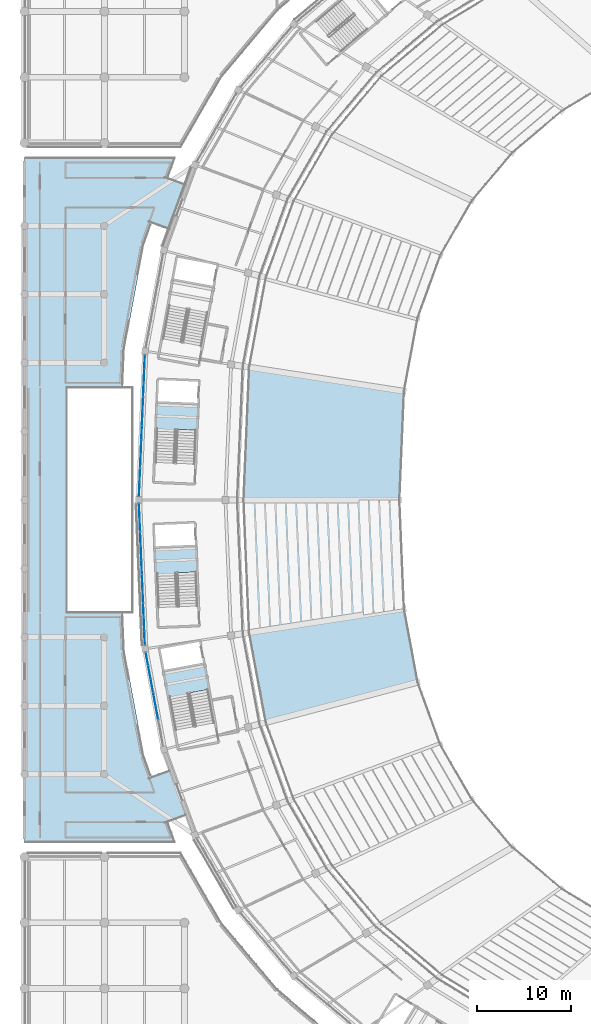
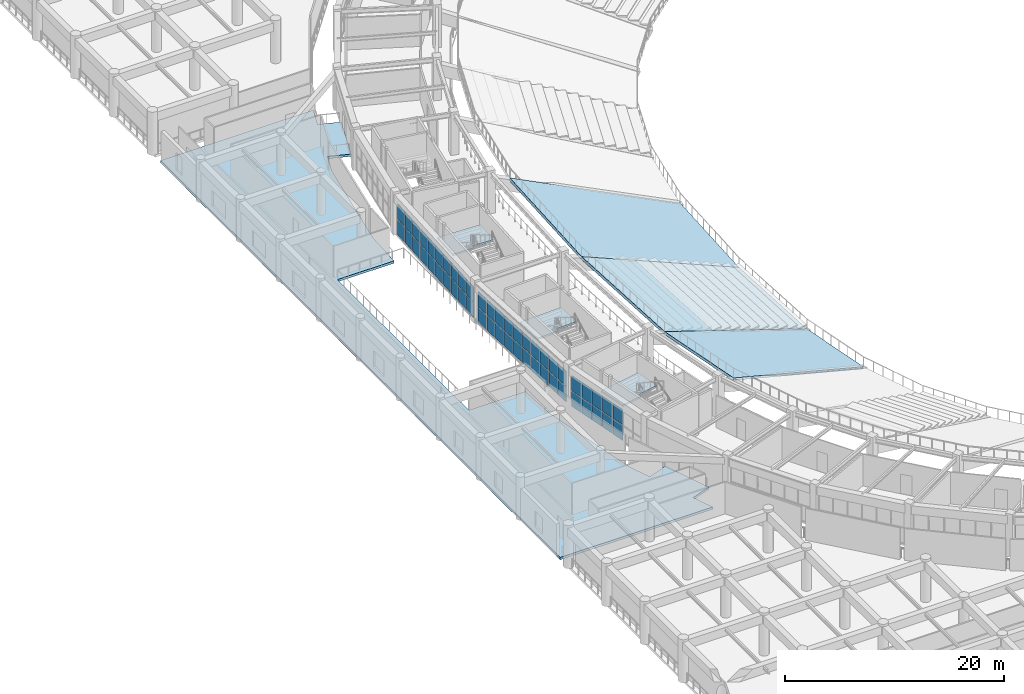
# One storey, part 78 of 137: 50 plates, 7 slabs, 6 elements without a shape of their own.
"""IFC4 building model written with IfcOpenShell, lengths in metres."""

from ifc_helpers import new_model, si_unit, direction, frame, origin, origin_2d, place, context, subcontext, project, spatial, polyline, rectangle, outline, extrude, material, layer, layer_set, type_object, element, aggregate, save


model = new_model("IFC4")

# Units and contexts
model_context = context("Model", 3, precision=1e-05, world=origin(), true_north=direction((0.0, 1.0)))
body_context = subcontext(model_context, "Body", "Model", "MODEL_VIEW")
ifc_project = project(units=[si_unit("LENGTHUNIT", "METRE"), si_unit("AREAUNIT", "SQUARE_METRE"), si_unit("VOLUMEUNIT", "CUBIC_METRE"), si_unit("PLANEANGLEUNIT", "RADIAN"), si_unit("MASSUNIT", "GRAM", prefix="KILO")], contexts=[model_context])

# Site, building, storey
site_placement = place(None, origin())
site = spatial("IfcSite", under=ifc_project, at=site_placement, CompositionType="ELEMENT")
building_placement = place(site_placement, origin())
building = spatial("IfcBuilding", under=site, at=building_placement, Name="Mphavela Belvedere Stadium", CompositionType="ELEMENT")
storey_placement = place(building_placement, frame((0.0, 0.0, 19.199951171875)))
storey = spatial("IfcBuildingStorey", under=building, at=storey_placement, Name="L04", CompositionType="ELEMENT", Elevation=19.199951171875)

# Curtain wall, plates
ifc_material_1 = material(Name="Anodised bronze unitised curtain wall framing")
ifc_layer_1 = layer(ifc_material_1, 0.205078125)
ifc_layer_set_1 = layer_set([ifc_layer_1], Name="Anodised bronze unitised curtain wall framing")
curtain_wall_type_1 = type_object("IfcCurtainWallType", Name="CW-UNIT-06", PredefinedType="USERDEFINED", material=ifc_layer_set_1)
curtain_wall_1_placement = place(storey_placement, origin())
curtain_wall_1 = element("IfcCurtainWall", 1, at=curtain_wall_1_placement, inside=storey, type_object=curtain_wall_type_1, Name="Belvedere colonnade curtain wall L04-24", ObjectType="UNITISED CURTAIN WALL", PredefinedType="USERDEFINED")
ifc_material_2 = material(Name="Solar-control double glazing", Category="glass")
ifc_layer_2 = layer(ifc_material_2, 0.031982421875)
ifc_layer_set_2 = layer_set([ifc_layer_2], Name="Solar-control double glazing")
plate_type = type_object("IfcPlateType", Name="CWP-SOLAR-GLASS", PredefinedType="CURTAIN_PANEL", material=ifc_layer_set_2)
plate_1_placement = place(storey_placement, frame((12.797607421875, 101.7236328125, 0.06005859375), z_axis=(0.0, 0.0, 1.0), x_axis=(-0.041904860066, -0.999121605563, 0.0)))
plate_1 = element("IfcPlate", 2, at=plate_1_placement, type_object=plate_type, Name="CW-06 panel 1.1", PredefinedType="CURTAIN_PANEL", context=body_context, shape_type="SweptSolid", body=[
    extrude(rectangle(XDim=1.418701171875, YDim=0.031982421875, at=origin_2d()), origin(), (0.0, 0.0, 1.0), 1.695068359375),
])
plate_2_placement = place(storey_placement, frame((12.797607421875, 101.7236328125, 1.81494140625), z_axis=(0.0, 0.0, 1.0), x_axis=(-0.041904860066, -0.999121605563, 0.0)))
plate_2 = element("IfcPlate", 3, at=plate_2_placement, type_object=plate_type, Name="CW-06 panel 1.2", PredefinedType="CURTAIN_PANEL", context=body_context, shape_type="SweptSolid", body=[
    extrude(rectangle(XDim=1.418701171875, YDim=0.031982421875, at=origin_2d()), origin(), (0.0, 0.0, 1.0), 1.695068359375),
])
plate_3_placement = place(storey_placement, frame((12.734619140625, 100.224853515625, 0.06005859375), z_axis=(0.0, 0.0, 1.0), x_axis=(-0.041904860066, -0.999121605563, 0.0)))
plate_3 = element("IfcPlate", 4, at=plate_3_placement, type_object=plate_type, Name="CW-06 panel 2.1", PredefinedType="CURTAIN_PANEL", context=body_context, shape_type="SweptSolid", body=[
    extrude(rectangle(XDim=1.451171875, YDim=0.031982421875, at=origin_2d()), origin(), (0.0, 0.0, 1.0), 1.695068359375),
])
plate_4_placement = place(storey_placement, frame((12.734619140625, 100.224853515625, 1.81494140625), z_axis=(0.0, 0.0, 1.0), x_axis=(-0.041904860066, -0.999121605563, 0.0)))
plate_4 = element("IfcPlate", 5, at=plate_4_placement, type_object=plate_type, Name="CW-06 panel 2.2", PredefinedType="CURTAIN_PANEL", context=body_context, shape_type="SweptSolid", body=[
    extrude(rectangle(XDim=1.451171875, YDim=0.031982421875, at=origin_2d()), origin(), (0.0, 0.0, 1.0), 1.695068359375),
])
plate_5_placement = place(storey_placement, frame((12.671142578125, 98.7099609375, 0.06005859375), z_axis=(0.0, 0.0, 1.0), x_axis=(-0.041904860066, -0.999121605563, 0.0)))
plate_5 = element("IfcPlate", 6, at=plate_5_placement, type_object=plate_type, Name="CW-06 panel 3.1", PredefinedType="CURTAIN_PANEL", context=body_context, shape_type="SweptSolid", body=[
    extrude(rectangle(XDim=1.451171875, YDim=0.031982421875, at=origin_2d()), origin(), (0.0, 0.0, 1.0), 1.695068359375),
])
plate_6_placement = place(storey_placement, frame((12.671142578125, 98.7099609375, 1.81494140625), z_axis=(0.0, 0.0, 1.0), x_axis=(-0.041904860066, -0.999121605563, 0.0)))
plate_6 = element("IfcPlate", 7, at=plate_6_placement, type_object=plate_type, Name="CW-06 panel 3.2", PredefinedType="CURTAIN_PANEL", context=body_context, shape_type="SweptSolid", body=[
    extrude(rectangle(XDim=1.451171875, YDim=0.031982421875, at=origin_2d()), origin(), (0.0, 0.0, 1.0), 1.695068359375),
])
plate_7_placement = place(storey_placement, frame((12.607666015625, 97.19482421875, 0.06005859375), z_axis=(0.0, 0.0, 1.0), x_axis=(-0.041904860066, -0.999121605563, 0.0)))
plate_7 = element("IfcPlate", 8, at=plate_7_placement, type_object=plate_type, Name="CW-06 panel 4.1", PredefinedType="CURTAIN_PANEL", context=body_context, shape_type="SweptSolid", body=[
    extrude(rectangle(XDim=1.451171875, YDim=0.031982421875, at=origin_2d()), origin(), (0.0, 0.0, 1.0), 1.695068359375),
])
plate_8_placement = place(storey_placement, frame((12.607666015625, 97.19482421875, 1.81494140625), z_axis=(0.0, 0.0, 1.0), x_axis=(-0.041904860066, -0.999121605563, 0.0)))
plate_8 = element("IfcPlate", 9, at=plate_8_placement, type_object=plate_type, Name="CW-06 panel 4.2", PredefinedType="CURTAIN_PANEL", context=body_context, shape_type="SweptSolid", body=[
    extrude(rectangle(XDim=1.451171875, YDim=0.031982421875, at=origin_2d()), origin(), (0.0, 0.0, 1.0), 1.695068359375),
])
plate_9_placement = place(storey_placement, frame((12.544189453125, 95.679931640625, 0.06005859375), z_axis=(0.0, 0.0, 1.0), x_axis=(-0.041904860066, -0.999121605563, 0.0)))
plate_9 = element("IfcPlate", 10, at=plate_9_placement, type_object=plate_type, Name="CW-06 panel 5.1", PredefinedType="CURTAIN_PANEL", context=body_context, shape_type="SweptSolid", body=[
    extrude(rectangle(XDim=1.451171875, YDim=0.031982421875, at=origin_2d()), origin(), (0.0, 0.0, 1.0), 1.695068359375),
])
plate_10_placement = place(storey_placement, frame((12.544189453125, 95.679931640625, 1.81494140625), z_axis=(0.0, 0.0, 1.0), x_axis=(-0.041904860066, -0.999121605563, 0.0)))
plate_10 = element("IfcPlate", 11, at=plate_10_placement, type_object=plate_type, Name="CW-06 panel 5.2", PredefinedType="CURTAIN_PANEL", context=body_context, shape_type="SweptSolid", body=[
    extrude(rectangle(XDim=1.451171875, YDim=0.031982421875, at=origin_2d()), origin(), (0.0, 0.0, 1.0), 1.695068359375),
])
plate_11_placement = place(storey_placement, frame((12.48046875, 94.1650390625, 0.06005859375), z_axis=(0.0, 0.0, 1.0), x_axis=(-0.041904860066, -0.999121605563, 0.0)))
plate_11 = element("IfcPlate", 12, at=plate_11_placement, type_object=plate_type, Name="CW-06 panel 6.1", PredefinedType="CURTAIN_PANEL", context=body_context, shape_type="SweptSolid", body=[
    extrude(rectangle(XDim=1.451171875, YDim=0.031982421875, at=origin_2d()), origin(), (0.0, 0.0, 1.0), 1.695068359375),
])
plate_12_placement = place(storey_placement, frame((12.48046875, 94.1650390625, 1.81494140625), z_axis=(0.0, 0.0, 1.0), x_axis=(-0.041904860066, -0.999121605563, 0.0)))
plate_12 = element("IfcPlate", 13, at=plate_12_placement, type_object=plate_type, Name="CW-06 panel 6.2", PredefinedType="CURTAIN_PANEL", context=body_context, shape_type="SweptSolid", body=[
    extrude(rectangle(XDim=1.451171875, YDim=0.031982421875, at=origin_2d()), origin(), (0.0, 0.0, 1.0), 1.695068359375),
])
plate_13_placement = place(storey_placement, frame((12.4169921875, 92.650146484375, 0.06005859375), z_axis=(0.0, 0.0, 1.0), x_axis=(-0.041904860066, -0.999121605563, 0.0)))
plate_13 = element("IfcPlate", 14, at=plate_13_placement, type_object=plate_type, Name="CW-06 panel 7.1", PredefinedType="CURTAIN_PANEL", context=body_context, shape_type="SweptSolid", body=[
    extrude(rectangle(XDim=1.451171875, YDim=0.031982421875, at=origin_2d()), origin(), (0.0, 0.0, 1.0), 1.695068359375),
])
plate_14_placement = place(storey_placement, frame((12.4169921875, 92.650146484375, 1.81494140625), z_axis=(0.0, 0.0, 1.0), x_axis=(-0.041904860066, -0.999121605563, 0.0)))
plate_14 = element("IfcPlate", 15, at=plate_14_placement, type_object=plate_type, Name="CW-06 panel 7.2", PredefinedType="CURTAIN_PANEL", context=body_context, shape_type="SweptSolid", body=[
    extrude(rectangle(XDim=1.451171875, YDim=0.031982421875, at=origin_2d()), origin(), (0.0, 0.0, 1.0), 1.695068359375),
])
plate_15_placement = place(storey_placement, frame((12.353515625, 91.135009765625, 0.06005859375), z_axis=(0.0, 0.0, 1.0), x_axis=(-0.041904860066, -0.999121605563, 0.0)))
plate_15 = element("IfcPlate", 16, at=plate_15_placement, type_object=plate_type, Name="CW-06 panel 8.1", PredefinedType="CURTAIN_PANEL", context=body_context, shape_type="SweptSolid", body=[
    extrude(rectangle(XDim=1.451171875, YDim=0.031982421875, at=origin_2d()), origin(), (0.0, 0.0, 1.0), 1.695068359375),
])
plate_16_placement = place(storey_placement, frame((12.353515625, 91.135009765625, 1.81494140625), z_axis=(0.0, 0.0, 1.0), x_axis=(-0.041904860066, -0.999121605563, 0.0)))
plate_16 = element("IfcPlate", 17, at=plate_16_placement, type_object=plate_type, Name="CW-06 panel 8.2", PredefinedType="CURTAIN_PANEL", context=body_context, shape_type="SweptSolid", body=[
    extrude(rectangle(XDim=1.451171875, YDim=0.031982421875, at=origin_2d()), origin(), (0.0, 0.0, 1.0), 1.695068359375),
])
plate_17_placement = place(storey_placement, frame((12.289794921875, 89.6201171875, 0.06005859375), z_axis=(0.0, 0.0, 1.0), x_axis=(-0.041904860066, -0.999121605563, 0.0)))
plate_17 = element("IfcPlate", 18, at=plate_17_placement, type_object=plate_type, Name="CW-06 panel 9.1", PredefinedType="CURTAIN_PANEL", context=body_context, shape_type="SweptSolid", body=[
    extrude(rectangle(XDim=1.451171875, YDim=0.031982421875, at=origin_2d()), origin(), (0.0, 0.0, 1.0), 1.695068359375),
])
plate_18_placement = place(storey_placement, frame((12.289794921875, 89.6201171875, 1.81494140625), z_axis=(0.0, 0.0, 1.0), x_axis=(-0.041904860066, -0.999121605563, 0.0)))
plate_18 = element("IfcPlate", 19, at=plate_18_placement, type_object=plate_type, Name="CW-06 panel 9.2", PredefinedType="CURTAIN_PANEL", context=body_context, shape_type="SweptSolid", body=[
    extrude(rectangle(XDim=1.451171875, YDim=0.031982421875, at=origin_2d()), origin(), (0.0, 0.0, 1.0), 1.695068359375),
])
plate_19_placement = place(storey_placement, frame((12.22705078125, 88.121337890625, 0.06005859375), z_axis=(0.0, 0.0, 1.0), x_axis=(-0.041904860066, -0.999121605563, 0.0)))
plate_19 = element("IfcPlate", 20, at=plate_19_placement, type_object=plate_type, Name="CW-06 panel 10.1", PredefinedType="CURTAIN_PANEL", context=body_context, shape_type="SweptSolid", body=[
    extrude(rectangle(XDim=1.418701171875, YDim=0.031982421875, at=origin_2d()), origin(), (0.0, 0.0, 1.0), 1.695068359375),
])
plate_20_placement = place(storey_placement, frame((12.22705078125, 88.121337890625, 1.81494140625), z_axis=(0.0, 0.0, 1.0), x_axis=(-0.041904860066, -0.999121605563, 0.0)))
plate_20 = element("IfcPlate", 21, at=plate_20_placement, type_object=plate_type, Name="CW-06 panel 10.2", PredefinedType="CURTAIN_PANEL", context=body_context, shape_type="SweptSolid", body=[
    extrude(rectangle(XDim=1.418701171875, YDim=0.031982421875, at=origin_2d()), origin(), (0.0, 0.0, 1.0), 1.695068359375),
])
aggregate(curtain_wall_1, [plate_1, plate_2, plate_3, plate_4, plate_5, plate_6, plate_7, plate_8, plate_9, plate_10, plate_11, plate_12, plate_13, plate_14, plate_15, plate_16, plate_17, plate_18, plate_19, plate_20])

ifc_material_3 = material(Name="Anodised bronze unitised curtain wall framing")
ifc_layer_3 = layer(ifc_material_3, 0.179931640625)
ifc_layer_set_3 = layer_set([ifc_layer_3], Name="Anodised bronze unitised curtain wall framing")
curtain_wall_type_2 = type_object("IfcCurtainWallType", Name="CW-UNIT-01", PredefinedType="USERDEFINED", material=ifc_layer_set_3)
curtain_wall_2_placement = place(storey_placement, origin())
curtain_wall_2 = element("IfcCurtainWall", 22, at=curtain_wall_2_placement, inside=storey, type_object=curtain_wall_type_2, Name="Belvedere colonnade curtain wall L04-25", ObjectType="UNITISED CURTAIN WALL", PredefinedType="USERDEFINED")
plate_21_placement = place(storey_placement, frame((12.22705078125, 85.878662109375, 0.06005859375), z_axis=(0.0, 0.0, 1.0), x_axis=(0.041904860066, -0.999121605563, 0.0)))
plate_21 = element("IfcPlate", 23, at=plate_21_placement, type_object=plate_type, Name="CW-01 panel 1.1", PredefinedType="CURTAIN_PANEL", context=body_context, shape_type="SweptSolid", body=[
    extrude(rectangle(XDim=1.418701171875, YDim=0.031982421875, at=origin_2d()), origin(), (0.0, 0.0, 1.0), 1.695068359375),
])
plate_22_placement = place(storey_placement, frame((12.22705078125, 85.878662109375, 1.81494140625), z_axis=(0.0, 0.0, 1.0), x_axis=(0.041904860066, -0.999121605563, 0.0)))
plate_22 = element("IfcPlate", 24, at=plate_22_placement, type_object=plate_type, Name="CW-01 panel 1.2", PredefinedType="CURTAIN_PANEL", context=body_context, shape_type="SweptSolid", body=[
    extrude(rectangle(XDim=1.418701171875, YDim=0.031982421875, at=origin_2d()), origin(), (0.0, 0.0, 1.0), 1.695068359375),
])
plate_23_placement = place(storey_placement, frame((12.289794921875, 84.3798828125, 0.06005859375), z_axis=(0.0, 0.0, 1.0), x_axis=(0.041904860066, -0.999121605563, 0.0)))
plate_23 = element("IfcPlate", 25, at=plate_23_placement, type_object=plate_type, Name="CW-01 panel 2.1", PredefinedType="CURTAIN_PANEL", context=body_context, shape_type="SweptSolid", body=[
    extrude(rectangle(XDim=1.451171875, YDim=0.031982421875, at=origin_2d()), origin(), (0.0, 0.0, 1.0), 1.695068359375),
])
plate_24_placement = place(storey_placement, frame((12.289794921875, 84.3798828125, 1.81494140625), z_axis=(0.0, 0.0, 1.0), x_axis=(0.041904860066, -0.999121605563, 0.0)))
plate_24 = element("IfcPlate", 26, at=plate_24_placement, type_object=plate_type, Name="CW-01 panel 2.2", PredefinedType="CURTAIN_PANEL", context=body_context, shape_type="SweptSolid", body=[
    extrude(rectangle(XDim=1.451171875, YDim=0.031982421875, at=origin_2d()), origin(), (0.0, 0.0, 1.0), 1.695068359375),
])
plate_25_placement = place(storey_placement, frame((12.353515625, 82.864990234375, 0.06005859375), z_axis=(0.0, 0.0, 1.0), x_axis=(0.041904860066, -0.999121605563, 0.0)))
plate_25 = element("IfcPlate", 27, at=plate_25_placement, type_object=plate_type, Name="CW-01 panel 3.1", PredefinedType="CURTAIN_PANEL", context=body_context, shape_type="SweptSolid", body=[
    extrude(rectangle(XDim=1.451171875, YDim=0.031982421875, at=origin_2d()), origin(), (0.0, 0.0, 1.0), 1.695068359375),
])
plate_26_placement = place(storey_placement, frame((12.353515625, 82.864990234375, 1.81494140625), z_axis=(0.0, 0.0, 1.0), x_axis=(0.041904860066, -0.999121605563, 0.0)))
plate_26 = element("IfcPlate", 28, at=plate_26_placement, type_object=plate_type, Name="CW-01 panel 3.2", PredefinedType="CURTAIN_PANEL", context=body_context, shape_type="SweptSolid", body=[
    extrude(rectangle(XDim=1.451171875, YDim=0.031982421875, at=origin_2d()), origin(), (0.0, 0.0, 1.0), 1.695068359375),
])
plate_27_placement = place(storey_placement, frame((12.4169921875, 81.349853515625, 0.06005859375), z_axis=(0.0, 0.0, 1.0), x_axis=(0.041904860066, -0.999121605563, 0.0)))
plate_27 = element("IfcPlate", 29, at=plate_27_placement, type_object=plate_type, Name="CW-01 panel 4.1", PredefinedType="CURTAIN_PANEL", context=body_context, shape_type="SweptSolid", body=[
    extrude(rectangle(XDim=1.451171875, YDim=0.031982421875, at=origin_2d()), origin(), (0.0, 0.0, 1.0), 1.695068359375),
])
plate_28_placement = place(storey_placement, frame((12.4169921875, 81.349853515625, 1.81494140625), z_axis=(0.0, 0.0, 1.0), x_axis=(0.041904860066, -0.999121605563, 0.0)))
plate_28 = element("IfcPlate", 30, at=plate_28_placement, type_object=plate_type, Name="CW-01 panel 4.2", PredefinedType="CURTAIN_PANEL", context=body_context, shape_type="SweptSolid", body=[
    extrude(rectangle(XDim=1.451171875, YDim=0.031982421875, at=origin_2d()), origin(), (0.0, 0.0, 1.0), 1.695068359375),
])
plate_29_placement = place(storey_placement, frame((12.48046875, 79.8349609375, 0.06005859375), z_axis=(0.0, 0.0, 1.0), x_axis=(0.041904860066, -0.999121605563, 0.0)))
plate_29 = element("IfcPlate", 31, at=plate_29_placement, type_object=plate_type, Name="CW-01 panel 5.1", PredefinedType="CURTAIN_PANEL", context=body_context, shape_type="SweptSolid", body=[
    extrude(rectangle(XDim=1.451171875, YDim=0.031982421875, at=origin_2d()), origin(), (0.0, 0.0, 1.0), 1.695068359375),
])
plate_30_placement = place(storey_placement, frame((12.48046875, 79.8349609375, 1.81494140625), z_axis=(0.0, 0.0, 1.0), x_axis=(0.041904860066, -0.999121605563, 0.0)))
plate_30 = element("IfcPlate", 32, at=plate_30_placement, type_object=plate_type, Name="CW-01 panel 5.2", PredefinedType="CURTAIN_PANEL", context=body_context, shape_type="SweptSolid", body=[
    extrude(rectangle(XDim=1.451171875, YDim=0.031982421875, at=origin_2d()), origin(), (0.0, 0.0, 1.0), 1.695068359375),
])
plate_31_placement = place(storey_placement, frame((12.544189453125, 78.320068359375, 0.06005859375), z_axis=(0.0, 0.0, 1.0), x_axis=(0.041904860066, -0.999121605563, 0.0)))
plate_31 = element("IfcPlate", 33, at=plate_31_placement, type_object=plate_type, Name="CW-01 panel 6.1", PredefinedType="CURTAIN_PANEL", context=body_context, shape_type="SweptSolid", body=[
    extrude(rectangle(XDim=1.451171875, YDim=0.031982421875, at=origin_2d()), origin(), (0.0, 0.0, 1.0), 1.695068359375),
])
plate_32_placement = place(storey_placement, frame((12.544189453125, 78.320068359375, 1.81494140625), z_axis=(0.0, 0.0, 1.0), x_axis=(0.041904860066, -0.999121605563, 0.0)))
plate_32 = element("IfcPlate", 34, at=plate_32_placement, type_object=plate_type, Name="CW-01 panel 6.2", PredefinedType="CURTAIN_PANEL", context=body_context, shape_type="SweptSolid", body=[
    extrude(rectangle(XDim=1.451171875, YDim=0.031982421875, at=origin_2d()), origin(), (0.0, 0.0, 1.0), 1.695068359375),
])
plate_33_placement = place(storey_placement, frame((12.607666015625, 76.80517578125, 0.06005859375), z_axis=(0.0, 0.0, 1.0), x_axis=(0.041904860066, -0.999121605563, 0.0)))
plate_33 = element("IfcPlate", 35, at=plate_33_placement, type_object=plate_type, Name="CW-01 panel 7.1", PredefinedType="CURTAIN_PANEL", context=body_context, shape_type="SweptSolid", body=[
    extrude(rectangle(XDim=1.451171875, YDim=0.031982421875, at=origin_2d()), origin(), (0.0, 0.0, 1.0), 1.695068359375),
])
plate_34_placement = place(storey_placement, frame((12.607666015625, 76.80517578125, 1.81494140625), z_axis=(0.0, 0.0, 1.0), x_axis=(0.041904860066, -0.999121605563, 0.0)))
plate_34 = element("IfcPlate", 36, at=plate_34_placement, type_object=plate_type, Name="CW-01 panel 7.2", PredefinedType="CURTAIN_PANEL", context=body_context, shape_type="SweptSolid", body=[
    extrude(rectangle(XDim=1.451171875, YDim=0.031982421875, at=origin_2d()), origin(), (0.0, 0.0, 1.0), 1.695068359375),
])
plate_35_placement = place(storey_placement, frame((12.671142578125, 75.2900390625, 0.06005859375), z_axis=(0.0, 0.0, 1.0), x_axis=(0.041904860066, -0.999121605563, 0.0)))
plate_35 = element("IfcPlate", 37, at=plate_35_placement, type_object=plate_type, Name="CW-01 panel 8.1", PredefinedType="CURTAIN_PANEL", context=body_context, shape_type="SweptSolid", body=[
    extrude(rectangle(XDim=1.451171875, YDim=0.031982421875, at=origin_2d()), origin(), (0.0, 0.0, 1.0), 1.695068359375),
])
plate_36_placement = place(storey_placement, frame((12.671142578125, 75.2900390625, 1.81494140625), z_axis=(0.0, 0.0, 1.0), x_axis=(0.041904860066, -0.999121605563, 0.0)))
plate_36 = element("IfcPlate", 38, at=plate_36_placement, type_object=plate_type, Name="CW-01 panel 8.2", PredefinedType="CURTAIN_PANEL", context=body_context, shape_type="SweptSolid", body=[
    extrude(rectangle(XDim=1.451171875, YDim=0.031982421875, at=origin_2d()), origin(), (0.0, 0.0, 1.0), 1.695068359375),
])
plate_37_placement = place(storey_placement, frame((12.734619140625, 73.775146484375, 0.06005859375), z_axis=(0.0, 0.0, 1.0), x_axis=(0.041904860066, -0.999121605563, 0.0)))
plate_37 = element("IfcPlate", 39, at=plate_37_placement, type_object=plate_type, Name="CW-01 panel 9.1", PredefinedType="CURTAIN_PANEL", context=body_context, shape_type="SweptSolid", body=[
    extrude(rectangle(XDim=1.451171875, YDim=0.031982421875, at=origin_2d()), origin(), (0.0, 0.0, 1.0), 1.695068359375),
])
plate_38_placement = place(storey_placement, frame((12.734619140625, 73.775146484375, 1.81494140625), z_axis=(0.0, 0.0, 1.0), x_axis=(0.041904860066, -0.999121605563, 0.0)))
plate_38 = element("IfcPlate", 40, at=plate_38_placement, type_object=plate_type, Name="CW-01 panel 9.2", PredefinedType="CURTAIN_PANEL", context=body_context, shape_type="SweptSolid", body=[
    extrude(rectangle(XDim=1.451171875, YDim=0.031982421875, at=origin_2d()), origin(), (0.0, 0.0, 1.0), 1.695068359375),
])
plate_39_placement = place(storey_placement, frame((12.797607421875, 72.2763671875, 0.06005859375), z_axis=(0.0, 0.0, 1.0), x_axis=(0.041904860066, -0.999121605563, 0.0)))
plate_39 = element("IfcPlate", 41, at=plate_39_placement, type_object=plate_type, Name="CW-01 panel 10.1", PredefinedType="CURTAIN_PANEL", context=body_context, shape_type="SweptSolid", body=[
    extrude(rectangle(XDim=1.418701171875, YDim=0.031982421875, at=origin_2d()), origin(), (0.0, 0.0, 1.0), 1.695068359375),
])
plate_40_placement = place(storey_placement, frame((12.797607421875, 72.2763671875, 1.81494140625), z_axis=(0.0, 0.0, 1.0), x_axis=(0.041904860066, -0.999121605563, 0.0)))
plate_40 = element("IfcPlate", 42, at=plate_40_placement, type_object=plate_type, Name="CW-01 panel 10.2", PredefinedType="CURTAIN_PANEL", context=body_context, shape_type="SweptSolid", body=[
    extrude(rectangle(XDim=1.418701171875, YDim=0.031982421875, at=origin_2d()), origin(), (0.0, 0.0, 1.0), 1.695068359375),
])
aggregate(curtain_wall_2, [plate_21, plate_22, plate_23, plate_24, plate_25, plate_26, plate_27, plate_28, plate_29, plate_30, plate_31, plate_32, plate_33, plate_34, plate_35, plate_36, plate_37, plate_38, plate_39, plate_40])

ifc_material_4 = material(Name="Anodised bronze unitised curtain wall framing")
ifc_layer_4 = layer(ifc_material_4, 0.18505859375)
ifc_layer_set_4 = layer_set([ifc_layer_4], Name="Anodised bronze unitised curtain wall framing")
curtain_wall_type_3 = type_object("IfcCurtainWallType", Name="CW-UNIT-02", PredefinedType="USERDEFINED", material=ifc_layer_set_4)
curtain_wall_3_placement = place(storey_placement, origin())
curtain_wall_3 = element("IfcCurtainWall", 43, at=curtain_wall_3_placement, inside=storey, type_object=curtain_wall_type_3, Name="Belvedere colonnade curtain wall L04-26", ObjectType="UNITISED CURTAIN WALL", PredefinedType="USERDEFINED")
plate_41_placement = place(storey_placement, frame((13.044189453125, 70.080322265625, 0.06005859375), z_axis=(0.0, 0.0, 1.0), x_axis=(0.182618040183, -0.98318393569, 0.0)))
plate_41 = element("IfcPlate", 44, at=plate_41_placement, type_object=plate_type, Name="CW-02 panel 1.1", PredefinedType="CURTAIN_PANEL", context=body_context, shape_type="SweptSolid", body=[
    extrude(rectangle(XDim=1.3603515625, YDim=0.031982421875, at=origin_2d()), origin(), (0.0, 0.0, 1.0), 1.695068359375),
])
plate_42_placement = place(storey_placement, frame((13.044189453125, 70.080322265625, 1.81494140625), z_axis=(0.0, 0.0, 1.0), x_axis=(0.182618040183, -0.98318393569, 0.0)))
plate_42 = element("IfcPlate", 45, at=plate_42_placement, type_object=plate_type, Name="CW-02 panel 1.2", PredefinedType="CURTAIN_PANEL", context=body_context, shape_type="SweptSolid", body=[
    extrude(rectangle(XDim=1.3603515625, YDim=0.031982421875, at=origin_2d()), origin(), (0.0, 0.0, 1.0), 1.695068359375),
])
plate_43_placement = place(storey_placement, frame((13.3076171875, 68.662841796875, 0.06005859375), z_axis=(0.0, 0.0, 1.0), x_axis=(0.182618040183, -0.98318393569, 0.0)))
plate_43 = element("IfcPlate", 46, at=plate_43_placement, type_object=plate_type, Name="CW-02 panel 2.1", PredefinedType="CURTAIN_PANEL", context=body_context, shape_type="SweptSolid", body=[
    extrude(rectangle(XDim=1.392822265625, YDim=0.031982421875, at=origin_2d()), origin(), (0.0, 0.0, 1.0), 1.695068359375),
])
plate_44_placement = place(storey_placement, frame((13.3076171875, 68.662841796875, 1.81494140625), z_axis=(0.0, 0.0, 1.0), x_axis=(0.182618040183, -0.98318393569, 0.0)))
plate_44 = element("IfcPlate", 47, at=plate_44_placement, type_object=plate_type, Name="CW-02 panel 2.2", PredefinedType="CURTAIN_PANEL", context=body_context, shape_type="SweptSolid", body=[
    extrude(rectangle(XDim=1.392822265625, YDim=0.031982421875, at=origin_2d()), origin(), (0.0, 0.0, 1.0), 1.695068359375),
])
plate_45_placement = place(storey_placement, frame((13.57373046875, 67.2294921875, 0.06005859375), z_axis=(0.0, 0.0, 1.0), x_axis=(0.182618040183, -0.98318393569, 0.0)))
plate_45 = element("IfcPlate", 48, at=plate_45_placement, type_object=plate_type, Name="CW-02 panel 3.1", PredefinedType="CURTAIN_PANEL", context=body_context, shape_type="SweptSolid", body=[
    extrude(rectangle(XDim=1.392822265625, YDim=0.031982421875, at=origin_2d()), origin(), (0.0, 0.0, 1.0), 1.695068359375),
])
plate_46_placement = place(storey_placement, frame((13.57373046875, 67.2294921875, 1.81494140625), z_axis=(0.0, 0.0, 1.0), x_axis=(0.182618040183, -0.98318393569, 0.0)))
plate_46 = element("IfcPlate", 49, at=plate_46_placement, type_object=plate_type, Name="CW-02 panel 3.2", PredefinedType="CURTAIN_PANEL", context=body_context, shape_type="SweptSolid", body=[
    extrude(rectangle(XDim=1.392822265625, YDim=0.031982421875, at=origin_2d()), origin(), (0.0, 0.0, 1.0), 1.695068359375),
])
plate_47_placement = place(storey_placement, frame((13.840087890625, 65.796142578125, 0.06005859375), z_axis=(0.0, 0.0, 1.0), x_axis=(0.182618040183, -0.98318393569, 0.0)))
plate_47 = element("IfcPlate", 50, at=plate_47_placement, type_object=plate_type, Name="CW-02 panel 4.1", PredefinedType="CURTAIN_PANEL", context=body_context, shape_type="SweptSolid", body=[
    extrude(rectangle(XDim=1.392822265625, YDim=0.031982421875, at=origin_2d()), origin(), (0.0, 0.0, 1.0), 1.695068359375),
])
plate_48_placement = place(storey_placement, frame((13.840087890625, 65.796142578125, 1.81494140625), z_axis=(0.0, 0.0, 1.0), x_axis=(0.182618040183, -0.98318393569, 0.0)))
plate_48 = element("IfcPlate", 51, at=plate_48_placement, type_object=plate_type, Name="CW-02 panel 4.2", PredefinedType="CURTAIN_PANEL", context=body_context, shape_type="SweptSolid", body=[
    extrude(rectangle(XDim=1.392822265625, YDim=0.031982421875, at=origin_2d()), origin(), (0.0, 0.0, 1.0), 1.695068359375),
])
plate_49_placement = place(storey_placement, frame((14.106201171875, 64.363037109375, 0.06005859375), z_axis=(0.0, 0.0, 1.0), x_axis=(0.182618040183, -0.98318393569, 0.0)))
plate_49 = element("IfcPlate", 52, at=plate_49_placement, type_object=plate_type, Name="CW-02 panel 5.1", PredefinedType="CURTAIN_PANEL", context=body_context, shape_type="SweptSolid", body=[
    extrude(rectangle(XDim=1.392822265625, YDim=0.031982421875, at=origin_2d()), origin(), (0.0, 0.0, 1.0), 1.695068359375),
])
plate_50_placement = place(storey_placement, frame((14.106201171875, 64.363037109375, 1.81494140625), z_axis=(0.0, 0.0, 1.0), x_axis=(0.182618040183, -0.98318393569, 0.0)))
plate_50 = element("IfcPlate", 53, at=plate_50_placement, type_object=plate_type, Name="CW-02 panel 5.2", PredefinedType="CURTAIN_PANEL", context=body_context, shape_type="SweptSolid", body=[
    extrude(rectangle(XDim=1.392822265625, YDim=0.031982421875, at=origin_2d()), origin(), (0.0, 0.0, 1.0), 1.695068359375),
])
aggregate(curtain_wall_3, [plate_41, plate_42, plate_43, plate_44, plate_45, plate_46, plate_47, plate_48, plate_49, plate_50])

# Stair, slab
ifc_material_5 = material(Name="Concrete C40/50", Category="concrete")
stair_type_1 = type_object("IfcStairType", Name="STR-HALF-TURN-1", PredefinedType="HALF_TURN_STAIR", material=ifc_material_5)
stair_1_placement = place(storey_placement, origin())
stair_1 = element("IfcStair", 54, at=stair_1_placement, inside=storey, type_object=stair_type_1, Name="L04 Escape stair core C07", PredefinedType="HALF_TURN_STAIR")
ifc_material_6 = material(Name="Concrete C40/50", Category="concrete")
ifc_layer_5 = layer(ifc_material_6, 0.199951171875)
ifc_layer_set_5 = layer_set([ifc_layer_5], Name="Concrete C40/50")
slab_type_1 = type_object("IfcSlabType", Name="SLB-LANDING-200", PredefinedType="LANDING", material=ifc_layer_set_5)
slab_1_placement = place(storey_placement, frame((0.0, 0.0, 2.199951171875)))
slab_1 = element("IfcSlab", 55, at=slab_1_placement, type_object=slab_type_1, Name="ST-C07 landing 1", PredefinedType="LANDING", context=body_context, shape_type="SweptSolid", body=[
    extrude(outline(polyline([(18.394287109375, 94.434326171875), (18.506591796875, 97.113037109375), (14.08056640625, 97.298583984375), (13.95361328125, 94.26513671875), (16.16650390625, 94.17236328125), (16.181396484375, 94.527099609375), (18.394287109375, 94.434326171875)])), origin(), (0.0, 0.0, 1.0), 0.2001953125),
])
aggregate(stair_1, [slab_1])

ifc_material_7 = material(Name="Concrete C40/50", Category="concrete")
stair_type_2 = type_object("IfcStairType", Name="STR-HALF-TURN-2", PredefinedType="HALF_TURN_STAIR", material=ifc_material_7)
stair_2_placement = place(storey_placement, origin())
stair_2 = element("IfcStair", 56, at=stair_2_placement, inside=storey, type_object=stair_type_2, Name="L04 Escape stair core C08", PredefinedType="HALF_TURN_STAIR")
slab_2_placement = place(storey_placement, frame((0.0, 0.0, 2.199951171875)))
slab_2 = element("IfcSlab", 57, at=slab_2_placement, type_object=slab_type_1, Name="ST-C08 landing 1", PredefinedType="LANDING", context=body_context, shape_type="SweptSolid", body=[
    extrude(outline(polyline([(18.40380859375, 79.343994140625), (18.29150390625, 82.0224609375), (13.865234375, 81.8369140625), (13.992431640625, 78.8037109375), (16.20556640625, 78.896484375), (16.190673828125, 79.251220703125), (18.40380859375, 79.343994140625)])), origin(), (0.0, 0.0, 1.0), 0.2001953125),
])
aggregate(stair_2, [slab_2])

ifc_material_8 = material(Name="Concrete C40/50", Category="concrete")
stair_type_3 = type_object("IfcStairType", Name="STR-HALF-TURN-3", PredefinedType="HALF_TURN_STAIR", material=ifc_material_8)
stair_3_placement = place(storey_placement, origin())
stair_3 = element("IfcStair", 58, at=stair_3_placement, inside=storey, type_object=stair_type_3, Name="L04 Escape stair core C09", PredefinedType="HALF_TURN_STAIR")
slab_3_placement = place(storey_placement, frame((0.0, 0.0, 2.199951171875)))
slab_3 = element("IfcSlab", 59, at=slab_3_placement, type_object=slab_type_1, Name="ST-C09 landing 1", PredefinedType="LANDING", context=body_context, shape_type="SweptSolid", body=[
    extrude(outline(polyline([(19.6640625, 66.851318359375), (19.174560546875, 69.4873046875), (14.819091796875, 68.678466796875), (15.373291015625, 65.693603515625), (17.551025390625, 66.097900390625), (17.486328125, 66.447021484375), (19.6640625, 66.851318359375)])), origin(), (0.0, 0.0, 1.0), 0.2001953125),
])
aggregate(stair_3, [slab_3])

# Slabs
ifc_material_9 = material(Name="Concrete C40/50", Category="concrete")
ifc_layer_6 = layer(ifc_material_9, 0.260009765625)
ifc_layer_set_6 = layer_set([ifc_layer_6], Name="Concrete C40/50")
slab_type_2 = type_object("IfcSlabType", Name="SLB-PAVILION-260", PredefinedType="FLOOR", material=ifc_layer_set_6)
slab_4_placement = place(storey_placement, frame((0.0, 0.0, -0.260009765625)))
element("IfcSlab", 60, at=slab_4_placement, inside=storey, type_object=slab_type_2, Name="West Planted Eaves Peristyle Colonnade floor slab L04-1", PredefinedType="FLOOR", context=body_context, shape_type="SweptSolid", body=[
    extrude(outline(polyline([(15.30810546875, 121.31689453125), (17.376220703125, 120.56640625), (15.60302734375, 115.67822265625), (13.534912109375, 116.428466796875), (12.767333984375, 114.312744140625), (12.712646484375, 114.140380859375), (12.67236328125, 113.96435546875), (10.681640625, 103.246826171875), (10.646484375, 102.937255859375), (10.4814453125, 99.0), (4.5, 99.0), (4.5, 75.0), (10.4814453125, 75.0), (10.646484375, 71.062744140625), (10.681640625, 70.753173828125), (12.67236328125, 60.03564453125), (12.712646484375, 59.859619140625), (12.767333984375, 59.687255859375), (13.534912109375, 57.571533203125), (15.60302734375, 58.32177734375), (17.376220703125, 53.43359375), (15.30810546875, 52.68310546875), (16.103759765625, 50.5), (0.0, 50.5), (0.0, 123.5), (16.103759765625, 123.5), (15.30810546875, 121.31689453125)])), origin(), (0.0, 0.0, 1.0), 0.260009765625),
])
ifc_material_10 = material(Name="Precast concrete C45/55", Category="concrete")
ifc_layer_7 = layer(ifc_material_10, 0.25)
ifc_layer_set_7 = layer_set([ifc_layer_7], Name="Precast concrete C45/55")
slab_type_3 = type_object("IfcSlabType", Name="SLB-TIER-UPPER", PredefinedType="USERDEFINED", material=ifc_layer_set_7)
slab_5_placement = place(storey_placement, frame((40.4072265625, 98.56982421875, -3.75), z_axis=(0.388759127462, -0.016303874476, 0.921195160914), x_axis=(-0.041893314237, -0.999122089742, -3.422563e-06)))
element("IfcSlab", 61, at=slab_5_placement, inside=storey, type_object=slab_type_3, Name="Upper seating tier slab L04-24", ObjectType="SEATING TIER", PredefinedType="USERDEFINED", context=body_context, shape_type="SweptSolid", body=[
    extrude(outline(polyline([(0.0, 0.0), (11.579989709049022, 0.0), (12.274856782006253, -17.990302304424066), (-1.8635414567946156, -17.990076083383816), (0.0, 0.0)])), origin(), (0.0, 0.0, -1.0), 0.25),
])
slab_6_placement = place(storey_placement, frame((39.922119140625, 87.0, -3.75), z_axis=(0.388759127462, 0.016303874476, 0.921195160914), x_axis=(0.041893314237, -0.999122089742, 3.422563e-06)))
element("IfcSlab", 62, at=slab_6_placement, inside=storey, type_object=slab_type_3, Name="Upper seating tier slab L04-25", ObjectType="SEATING TIER", PredefinedType="USERDEFINED", context=body_context, shape_type="SweptSolid", body=[
    extrude(outline(polyline([(0.0, 0.0), (11.579989709049022, 0.0), (13.443531165843636, -17.990076083383816), (-0.6948670729572325, -17.990302304424066), (0.0, 0.0)])), origin(), (0.0, 0.0, -1.0), 0.25),
])
slab_7_placement = place(storey_placement, frame((40.4072265625, 75.43017578125, -3.75), z_axis=(0.380667684503, 0.070711468744, 0.922004339558), x_axis=(0.182626283539, -0.983182404518, 2.545956e-06)))
element("IfcSlab", 63, at=slab_7_placement, inside=storey, type_object=slab_type_3, Name="Upper seating tier slab L04-26", ObjectType="SEATING TIER", PredefinedType="USERDEFINED", context=body_context, shape_type="SweptSolid", body=[
    extrude(outline(polyline([(0.0, 0.0), (7.959542403959617, 0.0), (9.221693279376206, -18.079406994979127), (-0.4964511699778041, -18.07952323719644), (0.0, 0.0)])), origin(), (0.0, 0.0, -1.0), 0.25),
])

save(model, "model.ifc")
